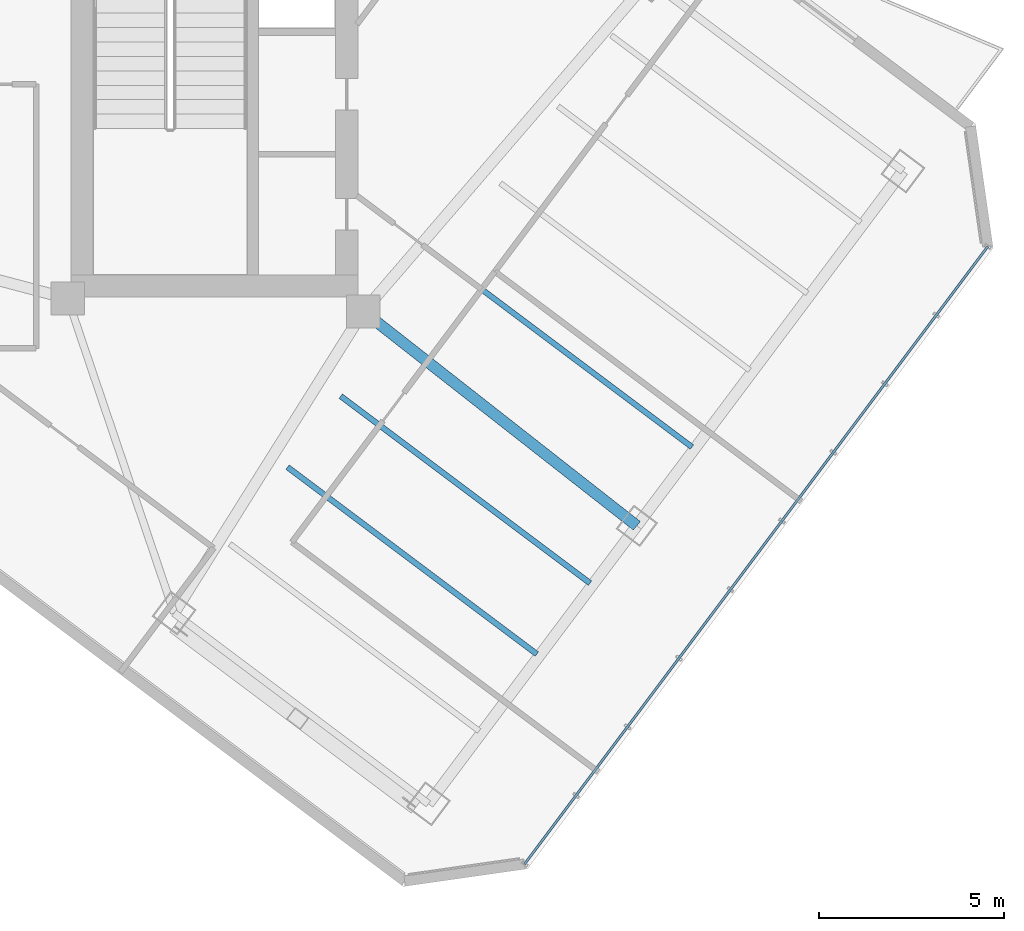
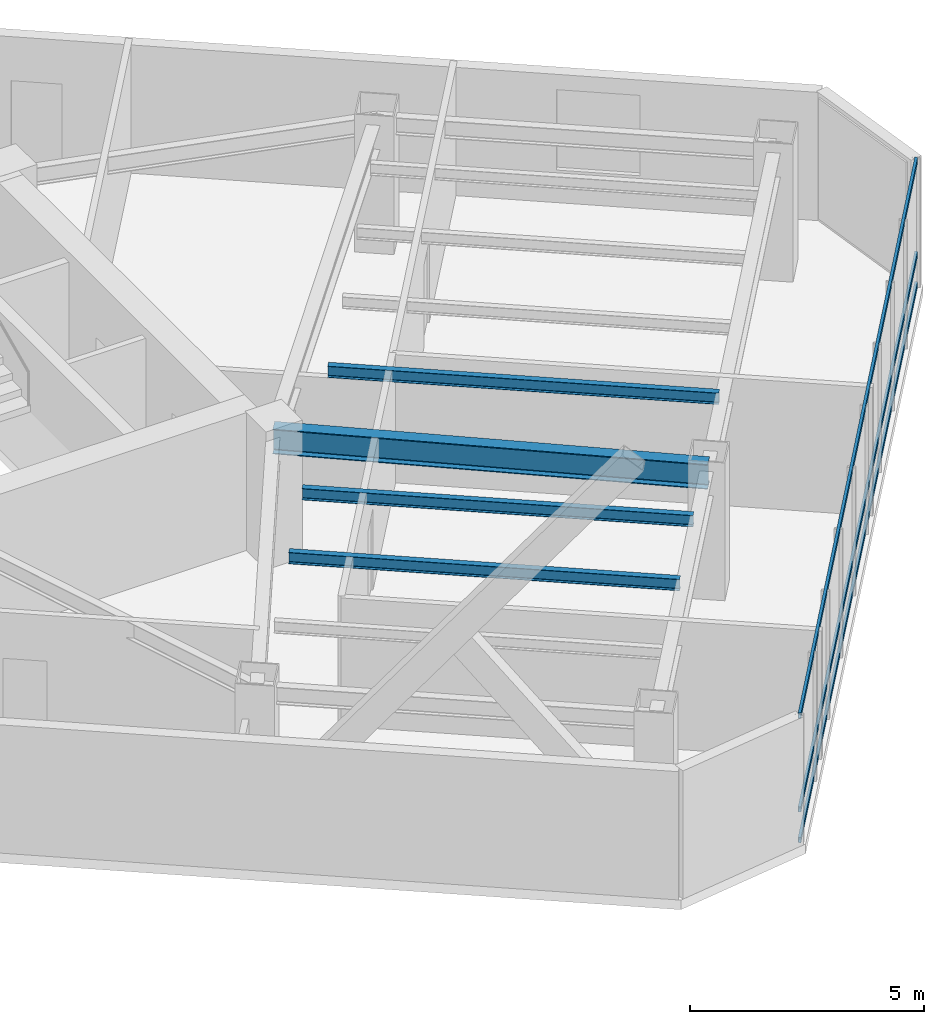
# One storey, part 12 of 27: 4 beams, 3 members, 1 element without a shape of its own.
"""IFC4 building model written with IfcOpenShell, lengths in metres."""

from ifc_helpers import new_model, si_unit, direction, frame, origin, origin_2d, place, context, subcontext, project, spatial, hollow_rectangle, i_section, extrude, material, layer, layer_set, material_profile, profile_set, type_object, element, aggregate, save


model = new_model("IFC4")

# Units and contexts
model_context = context("Model", 3, precision=1e-05, world=origin(), true_north=direction((0.0, 1.0)))
body_context = subcontext(model_context, "Body", "Model", "MODEL_VIEW")
ifc_project = project(units=[si_unit("LENGTHUNIT", "METRE"), si_unit("AREAUNIT", "SQUARE_METRE"), si_unit("VOLUMEUNIT", "CUBIC_METRE"), si_unit("PLANEANGLEUNIT", "RADIAN"), si_unit("MASSUNIT", "GRAM", prefix="KILO")], contexts=[model_context])

# Site, building, storey
site_placement = place(None, origin())
site = spatial("IfcSite", under=ifc_project, at=site_placement, CompositionType="ELEMENT")
building_placement = place(site_placement, origin())
building = spatial("IfcBuilding", under=site, at=building_placement, Name="Hatsunagi Terrace Concourse", CompositionType="ELEMENT")
storey_placement = place(building_placement, frame((0.0, 0.0, 156.449951171875)))
storey = spatial("IfcBuildingStorey", under=building, at=storey_placement, Name="L41", CompositionType="ELEMENT", Elevation=156.449951171875)

# Curtain wall, members
ifc_material_1 = material(Name="Anodised Aluminium Alloy 6063-T5", Category="aluminium")
ifc_layer = layer(ifc_material_1, 0.199951171875)
ifc_layer_set = layer_set([ifc_layer], Name="OfficeZone1_CW03")
curtain_wall_type = type_object("IfcCurtainWallType", Name="OfficeZone1_CW03", PredefinedType="NOTDEFINED", material=ifc_layer_set)
curtain_wall_placement = place(storey_placement, origin())
curtain_wall = element("IfcCurtainWall", 1, at=curtain_wall_placement, inside=storey, type_object=curtain_wall_type, Name="Unitised Curtain Wall CW-03 CW-L41-03", PredefinedType="NOTDEFINED")
ifc_material_2 = material(Name="Anodised Aluminium Alloy 6063-T5", Category="aluminium")
ifc_material_profile_1 = material_profile(ifc_material_2, hollow_rectangle(XDim=0.06494140625, YDim=0.139892578125, WallThickness=0.00390625, at=origin_2d()), Name="ALU-TRN-140x65x4")
ifc_profile_set_1 = profile_set([ifc_material_profile_1], Name="Anodised Aluminium Alloy 6063-T5")
member_type = type_object("IfcMemberType", Name="CurtainWallTransom_140x65", PredefinedType="USERDEFINED", material=ifc_profile_set_1)
member_1_placement = place(storey_placement, frame((60.693115234375, 25.9580078125, 0.050048828125), z_axis=(-0.599970072971, -0.800022444397, 0.0), x_axis=(0.800022444397, -0.599970072971, 0.0)))
member_1 = element("IfcMember", 2, at=member_1_placement, type_object=member_type, Name="Curtain Wall Transom TRN-02", ObjectType="TRANSOM", PredefinedType="USERDEFINED", context=body_context, shape_type="SweptSolid", body=[
    extrude(hollow_rectangle(XDim=0.06494140625, YDim=0.139892578125, WallThickness=0.00390625, at=origin_2d()), origin(), (0.0, 0.0, 1.0), 20.884521484375),
])
member_2_placement = place(storey_placement, frame((60.693115234375, 25.9580078125, 0.85009765625), z_axis=(-0.599970072971, -0.800022444397, 0.0), x_axis=(0.800022444397, -0.599970072971, 0.0)))
member_2 = element("IfcMember", 3, at=member_2_placement, type_object=member_type, Name="Curtain Wall Transom TRN-02", ObjectType="TRANSOM", PredefinedType="USERDEFINED", context=body_context, shape_type="SweptSolid", body=[
    extrude(hollow_rectangle(XDim=0.06494140625, YDim=0.139892578125, WallThickness=0.00390625, at=origin_2d()), origin(), (0.0, 0.0, 1.0), 20.884521484375),
])
member_3_placement = place(storey_placement, frame((60.693115234375, 25.9580078125, 3.300048828125), z_axis=(-0.599970072971, -0.800022444397, 0.0), x_axis=(0.800022444397, -0.599970072971, 0.0)))
member_3 = element("IfcMember", 4, at=member_3_placement, type_object=member_type, Name="Curtain Wall Transom TRN-02", ObjectType="TRANSOM", PredefinedType="USERDEFINED", context=body_context, shape_type="SweptSolid", body=[
    extrude(hollow_rectangle(XDim=0.06494140625, YDim=0.139892578125, WallThickness=0.00390625, at=origin_2d()), origin(), (0.0, 0.0, 1.0), 20.884521484375),
])
aggregate(curtain_wall, [member_1, member_2, member_3])

# Beams
ifc_material_3 = material(Name="Steel SN490B", Category="steel")
ifc_material_profile_2 = material_profile(ifc_material_3, i_section(OverallWidth=0.14990234375, OverallDepth=0.300048828125, WebThickness=0.006591796875, FlangeThickness=0.009033203125, FilletRadius=0.010986328125, at=origin_2d()), Name="H-300x150x6.5x9")
ifc_profile_set_2 = profile_set([ifc_material_profile_2], Name="Steel SN490B")
beam_type_1 = type_object("IfcBeamType", Name="OfficeJoist_H_300x150", PredefinedType="JOIST", material=ifc_profile_set_2)
for number, where, z_axis, x_axis, name in (
    (5, (41.748046875, 19.989013671875, 3.199951171875), (0.799989573921, -0.600013901187, 0.0), (0.600013901187, 0.799989573921, 0.0), "Beam J-03 J-L41-SE-2-72"),
    (6, (43.18798828125, 21.908935546875, 3.199951171875), (0.800003475366, -0.59999536615, 0.0), (0.59999536615, 0.800003475366, 0.0), "Beam J-03 J-L41-SE-2-96"),
    (7, (45.947998046875, 25.589111328125, 3.199951171875), (0.799989573921, -0.600013901187, 0.0), (0.600013901187, 0.799989573921, 0.0), "Beam J-03 J-L41-SE-2-142"),
):
    element("IfcBeam", number, at=place(storey_placement, frame(where, z_axis=z_axis, x_axis=x_axis)), inside=storey, type_object=beam_type_1, Name=name, PredefinedType="JOIST", context=body_context, shape_type="SweptSolid", body=[
        extrude(i_section(OverallWidth=0.14990234375, OverallDepth=0.300048828125, WebThickness=0.006591796875, FlangeThickness=0.009033203125, FilletRadius=0.010986328125, at=origin_2d()), origin(), (0.0, 0.0, 1.0), 8.429931640625),
    ])
ifc_material_4 = material(Name="Steel SN490B", Category="steel")
ifc_material_profile_3 = material_profile(ifc_material_4, i_section(OverallWidth=0.300048828125, OverallDepth=0.64990234375, WebThickness=0.012939453125, FlangeThickness=0.02197265625, FilletRadius=0.01806640625, at=origin_2d()), Name="H-650x300x13x22")
ifc_profile_set_3 = profile_set([ifc_material_profile_3], Name="Steel SN490B")
beam_type_2 = type_object("IfcBeamType", Name="OfficeLowGirder_H_650x300", PredefinedType="BEAM", material=ifc_profile_set_3)
beam_placement = place(storey_placement, frame((43.800048828125, 24.199951171875, 3.025146484375), z_axis=(0.787049441068, -0.616889923175, 0.0), x_axis=(0.616889923175, 0.787049441068, 0.0)))
element("IfcBeam", 8, at=beam_placement, inside=storey, type_object=beam_type_2, Name="Beam G-05 BM-L41-SE-M2", PredefinedType="BEAM", context=body_context, shape_type="SweptSolid", body=[
    extrude(i_section(OverallWidth=0.300048828125, OverallDepth=0.64990234375, WebThickness=0.012939453125, FlangeThickness=0.02197265625, FilletRadius=0.01806640625, at=origin_2d()), origin(), (0.0, 0.0, 1.0), 9.402099609375),
])

save(model, "model.ifc")
